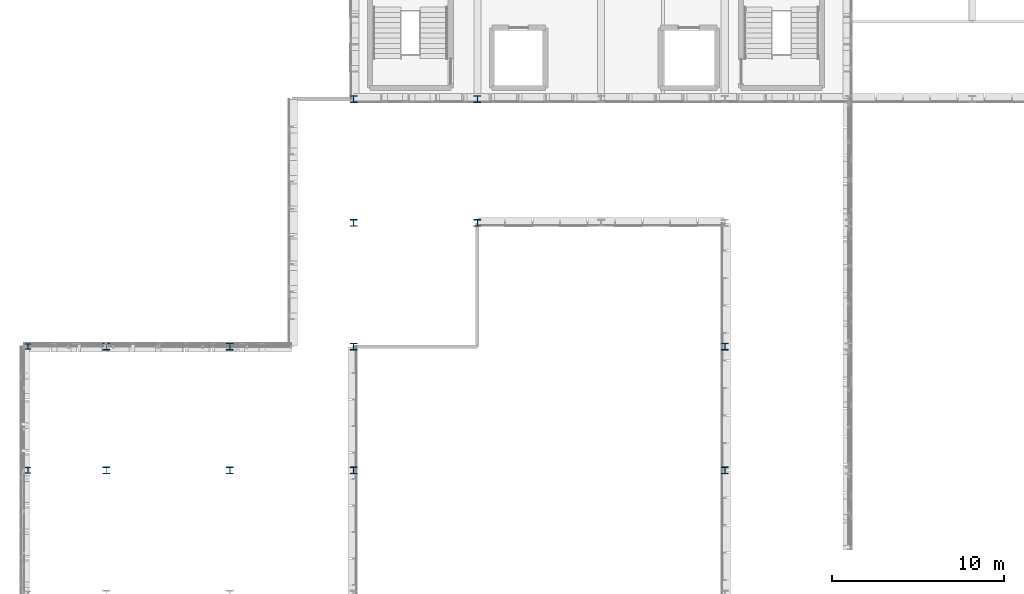
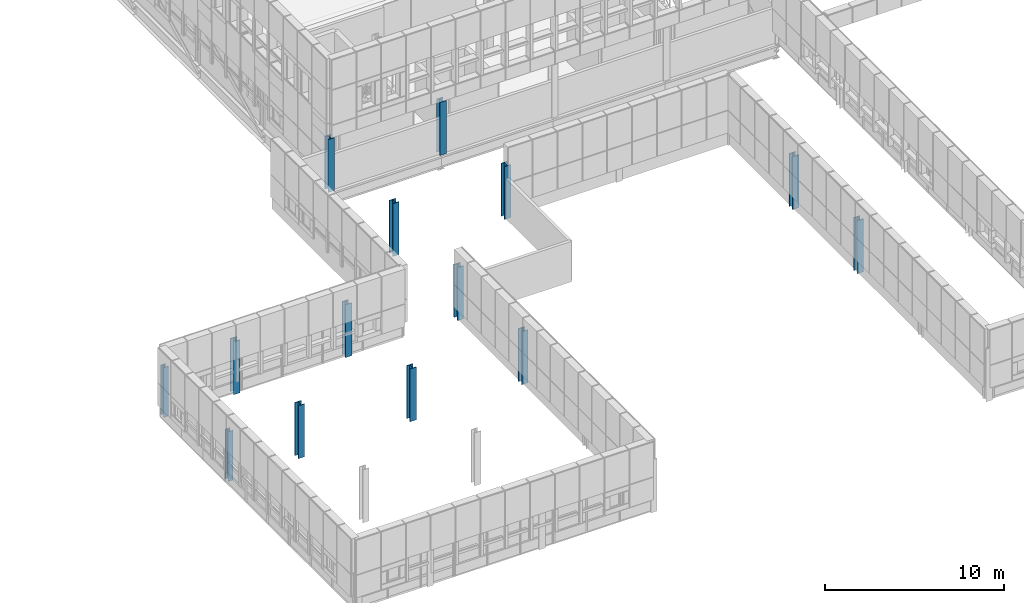
# One storey, part 3 of 96: 14 columns.
"""IFC4 building model written with IfcOpenShell, lengths in metres."""

import ifcopenshell
import ifcopenshell.guid

model = None  # the IFC model being written
_history = None  # IfcOwnerHistory: only IFC2X3 demands one
_inside = {}  # id of a spatial element -> (the spatial element, [elements in it])
_under = {}  # id of a project, library or spatial element -> (it, [spatial elements below it])
_declared = {}  # id of a project -> (the project, [libraries it declares])
_typed = {}  # id of a type object -> (the type object, [elements of that type])
_made_of = {}  # id of a material, layer set ... -> (it, [elements and type objects made of it])


def new_model(schema):
    """Start an empty IFC model of exactly this schema.

    Asked for "IFC4X3", IfcOpenShell would pick the latest addendum, in which some entities
    have other attributes; the version numbers below select the first issue.
    IFC2X3 requires an IfcOwnerHistory on every rooted entity: one is made here for all.
    """
    global model, _history
    if schema == "IFC4X3":
        model = ifcopenshell.file(schema_version=(4, 3, 0, 0))
    else:
        model = ifcopenshell.file(schema=schema)
    _inside.clear()
    _under.clear()
    _declared.clear()
    _typed.clear()
    _made_of.clear()
    _history = None
    if model.schema == "IFC2X3":
        org = make("IfcOrganization", Name="unknown")
        user = make(
            "IfcPersonAndOrganization",
            ThePerson=make("IfcPerson", FamilyName="unknown"),
            TheOrganization=org,
        )
        app = make(
            "IfcApplication",
            ApplicationDeveloper=org,
            Version="unknown",
            ApplicationFullName="unknown",
            ApplicationIdentifier="unknown",
        )
        _history = make(
            "IfcOwnerHistory",
            OwningUser=user,
            OwningApplication=app,
            ChangeAction="ADDED",
            CreationDate=0,
        )
    return model


def make(cls, **values):
    """One entity of the class cls with the attributes given. An attribute that is None is left unset."""
    return model.create_entity(
        cls, **{name: value for name, value in values.items() if value is not None}
    )


def rooted(cls, **values):
    """An entity with a GlobalId (a new one), such as an element, a storey or a relation."""
    return make(cls, GlobalId=ifcopenshell.guid.new(), OwnerHistory=_history, **values)


def si_unit(unit_type, name, prefix=None):
    """IfcSIUnit, for example si_unit("LENGTHUNIT", "METRE", prefix="MILLI")."""
    return make("IfcSIUnit", UnitType=unit_type, Prefix=prefix, Name=name)


def assignment(units):
    """IfcUnitAssignment: the units of a project."""
    return None if units is None else make("IfcUnitAssignment", Units=units)


def point(xyz):
    """IfcCartesianPoint."""
    return None if xyz is None else make("IfcCartesianPoint", Coordinates=xyz)


def direction(xyz):
    """IfcDirection."""
    return None if xyz is None else make("IfcDirection", DirectionRatios=xyz)


def frame(location, z_axis=None, x_axis=None):
    """IfcAxis2Placement3D, a coordinate frame: its origin and axes. An axis left out is left unset."""
    return make(
        "IfcAxis2Placement3D",
        Location=point(location),
        Axis=direction(z_axis),
        RefDirection=direction(x_axis),
    )


def frame_2d(location, x_axis=None):
    """IfcAxis2Placement2D, a coordinate frame in the plane: its origin and x axis."""
    return make(
        "IfcAxis2Placement2D", Location=point(location), RefDirection=direction(x_axis)
    )


def origin():
    """The frame at (0, 0, 0) with its axes left unset."""
    return frame((0.0, 0.0, 0.0))


def origin_2d():
    """The frame at (0, 0) in the plane with its x axis left unset."""
    return frame_2d((0.0, 0.0))


def place(relative_to, where):
    """IfcLocalPlacement: puts the frame where relative to a parent placement (None: the world)."""
    return make(
        "IfcLocalPlacement", PlacementRelTo=relative_to, RelativePlacement=where
    )


def context(
    kind, dimensions, precision=None, world=None, true_north=None, identifier=None
):
    """IfcGeometricRepresentationContext, for example the 3D "Model" context."""
    return make(
        "IfcGeometricRepresentationContext",
        ContextIdentifier=identifier,
        ContextType=kind,
        CoordinateSpaceDimension=dimensions,
        Precision=precision,
        WorldCoordinateSystem=world,
        TrueNorth=true_north,
    )


def subcontext(parent, identifier, kind, view, scale=None):
    """IfcGeometricRepresentationSubContext, for example "Body" below "Model"."""
    return make(
        "IfcGeometricRepresentationSubContext",
        ContextIdentifier=identifier,
        ContextType=kind,
        ParentContext=parent,
        TargetScale=scale,
        TargetView=view,
    )


def project(units=None, contexts=None):
    """IfcProject with its units and contexts."""
    return rooted(
        "IfcProject",
        Name="project",
        RepresentationContexts=contexts,
        UnitsInContext=assignment(units),
    )


def spatial(cls, under=None, at=None, **own):
    """A site, building, storey or space (cls), placed at a placement, below another one or the project."""
    s = rooted(cls, ObjectPlacement=at, **own)
    if under is not None:
        _under.setdefault(under.id(), (under, []))[1].append(s)
    return s


def profile(cls, at=None, kind="AREA", **sizes):
    """A parametric profile (cls). Its sizes go by their IFC names, for example OverallWidth=200.0."""
    return make(cls, ProfileType=kind, Position=at, **sizes)


def i_section(**sizes):
    """IfcIShapeProfileDef."""
    return profile("IfcIShapeProfileDef", **sizes)


def extrude(swept, where, along, depth):
    """IfcExtrudedAreaSolid: the profile swept, set in the frame where, extruded along a direction by depth."""
    return make(
        "IfcExtrudedAreaSolid",
        SweptArea=swept,
        Position=where,
        ExtrudedDirection=direction(along),
        Depth=depth,
    )


def shape(context_of_items, identifier, shape_type, items):
    """IfcShapeRepresentation: the items that make up one representation, for example the "Body"."""
    return make(
        "IfcShapeRepresentation",
        ContextOfItems=context_of_items,
        RepresentationIdentifier=identifier,
        RepresentationType=shape_type,
        Items=items,
    )


def material(Name=None, Category=None):
    """IfcMaterial."""
    return make("IfcMaterial", Name=Name, Category=Category)


def material_profile(
    of_material, cross_section, Name=None, Category=None, Priority=None
):
    """IfcMaterialProfile: a cross section and its material."""
    return make(
        "IfcMaterialProfile",
        Name=Name,
        Material=of_material,
        Profile=cross_section,
        Priority=Priority,
        Category=Category,
    )


def profile_set(profiles, Name=None, composite=None):
    """IfcMaterialProfileSet."""
    return make(
        "IfcMaterialProfileSet",
        Name=Name,
        MaterialProfiles=profiles,
        CompositeProfile=composite,
    )


def made_of(thing, what):
    """Note that an element or type object is made of a material, layer set ...; save() writes the relation."""
    if what is not None:
        _made_of.setdefault(what.id(), (what, []))[1].append(thing)
    return thing


def type_object(cls, material=None, **own):
    """A type object (cls), such as IfcWallType, which elements share."""
    return made_of(rooted(cls, **own), material)


def element(
    cls,
    number,
    at=None,
    inside=None,
    cuts=None,
    type_object=None,
    material=None,
    context=None,
    identifier="Body",
    shape_type=None,
    held_by="IfcProductDefinitionShape",
    body=None,
    shapes=None,
    **own,
):
    """One element of the class cls, such as IfcWall. Its Tag is "e" and its number.

    at: its placement. inside: the storey or other place that contains it. cuts: it is an
    opening in that element (IfcRelVoidsElement). A single representation is given by context,
    identifier, shape_type and body (its items); several are given by shapes. held_by: the class
    of the entity that holds the representations. save() writes the other relations.
    """
    e = rooted(cls, Tag="e%d" % number, ObjectPlacement=at, **own)
    if body is not None:
        shapes = [shape(context, identifier, shape_type, body)]
    if shapes is not None:
        e.Representation = make(held_by, Representations=shapes)
    if inside is not None:
        _inside.setdefault(inside.id(), (inside, []))[1].append(e)
    if cuts is not None:
        rooted(
            "IfcRelVoidsElement", RelatingBuildingElement=cuts, RelatedOpeningElement=e
        )
    if type_object is not None:
        _typed.setdefault(type_object.id(), (type_object, []))[1].append(e)
    return made_of(e, material)


def aggregate(whole, parts):
    """IfcRelAggregates: a whole, such as a stair, and the parts it consists of."""
    return rooted("IfcRelAggregates", RelatingObject=whole, RelatedObjects=parts)


def save(model, path):
    """Write the relations noted so far, then the file.

    IfcRelAggregates (storeys below a building ...), IfcRelContainedInSpatialStructure (elements
    in a storey), IfcRelDefinesByType, IfcRelAssociatesMaterial and IfcRelDeclares: one each for
    every whole, place, type object, material and project.
    """
    for whole, parts in _under.values():
        aggregate(whole, parts)
    for where, things in _inside.values():
        rooted(
            "IfcRelContainedInSpatialStructure",
            RelatedElements=things,
            RelatingStructure=where,
        )
    for kind, things in _typed.values():
        rooted("IfcRelDefinesByType", RelatedObjects=things, RelatingType=kind)
    for what, things in _made_of.values():
        rooted("IfcRelAssociatesMaterial", RelatedObjects=things, RelatingMaterial=what)
    for by, libraries in _declared.values():
        rooted("IfcRelDeclares", RelatingContext=by, RelatedDefinitions=libraries)
    model.write(path)


model = new_model("IFC4")

# Units and contexts
model_context = context("Model", 3, precision=1e-05, world=origin(), true_north=direction((0.0, 1.0)))
body_context = subcontext(model_context, "Body", "Model", "MODEL_VIEW")
ifc_project = project(units=[si_unit("LENGTHUNIT", "METRE"), si_unit("AREAUNIT", "SQUARE_METRE"), si_unit("VOLUMEUNIT", "CUBIC_METRE"), si_unit("PLANEANGLEUNIT", "RADIAN"), si_unit("MASSUNIT", "GRAM", prefix="KILO")], contexts=[model_context])

# Site, building, storey
site_placement = place(None, origin())
site = spatial("IfcSite", under=ifc_project, at=site_placement, CompositionType="ELEMENT")
building_placement = place(site_placement, origin())
building = spatial("IfcBuilding", under=site, at=building_placement, Name="Yarey Park Central Fire Station", CompositionType="ELEMENT")
storey_placement = place(building_placement, frame((0.0, 0.0, 14.39990234375)))
storey = spatial("IfcBuildingStorey", under=building, at=storey_placement, Name="L04", CompositionType="ELEMENT", Elevation=14.39990234375)

# Columns
ifc_material = material(Name="Steel ASTM A992 Gr. 50", Category="steel")
ifc_material_profile_1 = material_profile(ifc_material, i_section(OverallWidth=0.30908203125, OverallDepth=0.322998046875, WebThickness=0.013916015625, FlangeThickness=0.02294921875, at=origin_2d()), Name="W310x143")
ifc_profile_set_1 = profile_set([ifc_material_profile_1], Name="Steel ASTM A992 Gr. 50")
column_type_1 = type_object("IfcColumnType", Name="STR_COL_W310_EXT", PredefinedType="COLUMN", material=ifc_profile_set_1)
for number, where, z_axis, x_axis, name in (
    (1, (9.85009765625, 36.0, 0.0), (0.0, 0.0, 1.0), (1.0, 0.0, 0.0), "COL_L04_NOSE_Y360"),
    (2, (9.85009765625, 43.199951171875, 0.0), (0.0, 0.0, 1.0), (1.0, 0.0, 0.0), "COL_L04_NOSE_Y432"),
):
    element("IfcColumn", number, at=place(storey_placement, frame(where, z_axis=z_axis, x_axis=x_axis)), inside=storey, type_object=column_type_1, Name=name, PredefinedType="COLUMN", context=body_context, shape_type="SweptSolid", body=[
        extrude(i_section(OverallWidth=0.30908203125, OverallDepth=0.322998046875, WebThickness=0.013916015625, FlangeThickness=0.02294921875, at=origin_2d()), origin(), (0.0, 0.0, 1.0), 3.39013671875),
    ])
ifc_material_profile_2 = material_profile(ifc_material, i_section(OverallWidth=0.404052734375, OverallDepth=0.406982421875, WebThickness=0.027099609375, FlangeThickness=0.043701171875, at=origin_2d()), Name="W360x347")
ifc_profile_set_2 = profile_set([ifc_material_profile_2], Name="Steel ASTM A992 Gr. 50")
column_type_2 = type_object("IfcColumnType", Name="STR_COL_W360_EXT", PredefinedType="COLUMN", material=ifc_profile_set_2)
for number, where, z_axis, x_axis, name in (
    (3, (14.39990234375, 36.0, 0.0), (0.0, 0.0, 1.0), (1.0, 0.0, 0.0), "COL_L04_X144_Y360"),
    (4, (14.39990234375, 43.199951171875, 0.0), (0.0, 0.0, 1.0), (1.0, 0.0, 0.0), "COL_L04_X144_Y432"),
    (5, (21.60009765625, 43.199951171875, 0.0), (0.0, 0.0, 1.0), (1.0, 0.0, 0.0), "COL_L04_X216_Y432"),
):
    element("IfcColumn", number, at=place(storey_placement, frame(where, z_axis=z_axis, x_axis=x_axis)), inside=storey, type_object=column_type_2, Name=name, PredefinedType="COLUMN", context=body_context, shape_type="SweptSolid", body=[
        extrude(i_section(OverallWidth=0.404052734375, OverallDepth=0.406982421875, WebThickness=0.027099609375, FlangeThickness=0.043701171875, at=origin_2d()), origin(), (0.0, 0.0, 1.0), 3.60009765625),
    ])
ifc_material_profile_3 = material_profile(ifc_material, i_section(OverallWidth=0.404052734375, OverallDepth=0.406982421875, WebThickness=0.027099609375, FlangeThickness=0.043701171875, at=origin_2d()), Name="W360x347")
ifc_profile_set_3 = profile_set([ifc_material_profile_3], Name="Steel ASTM A992 Gr. 50")
column_type_3 = type_object("IfcColumnType", Name="STR_COL_W360_INT", PredefinedType="COLUMN", material=ifc_profile_set_3)
for number, where, z_axis, x_axis, name in (
    (6, (21.60009765625, 36.0, 0.0), (0.0, 0.0, 1.0), (1.0, 0.0, 0.0), "COL_L04_X216_Y360"),
    (7, (28.800048828125, 36.0, 0.0), (0.0, 0.0, 1.0), (1.0, 0.0, 0.0), "COL_L04_X288_Y360"),
    (8, (28.800048828125, 43.199951171875, 0.0), (0.0, 0.0, 1.0), (1.0, 0.0, 0.0), "COL_L04_X288_Y432"),
    (9, (28.800048828125, 50.39990234375, 0.0), (0.0, 0.0, 1.0), (1.0, 0.0, 0.0), "COL_L04_X288_Y504"),
    (10, (28.800048828125, 57.60009765625, 0.0), (0.0, 0.0, 1.0), (1.0, 0.0, 0.0), "COL_L04_X288_Y576"),
    (11, (36.0, 50.39990234375, 0.0), (0.0, 0.0, 1.0), (1.0, 0.0, 0.0), "COL_L04_X360_Y504"),
    (12, (36.0, 57.60009765625, 0.0), (0.0, 0.0, 1.0), (1.0, 0.0, 0.0), "COL_L04_X360_Y576"),
    (13, (50.39990234375, 36.0, 0.0), (0.0, 0.0, 1.0), (1.0, 0.0, 0.0), "COL_L04_X504_Y360"),
    (14, (50.39990234375, 43.199951171875, 0.0), (0.0, 0.0, 1.0), (1.0, 0.0, 0.0), "COL_L04_X504_Y432"),
):
    element("IfcColumn", number, at=place(storey_placement, frame(where, z_axis=z_axis, x_axis=x_axis)), inside=storey, type_object=column_type_3, Name=name, PredefinedType="COLUMN", context=body_context, shape_type="SweptSolid", body=[
        extrude(i_section(OverallWidth=0.404052734375, OverallDepth=0.406982421875, WebThickness=0.027099609375, FlangeThickness=0.043701171875, at=origin_2d()), origin(), (0.0, 0.0, 1.0), 3.60009765625),
    ])

save(model, "model.ifc")
